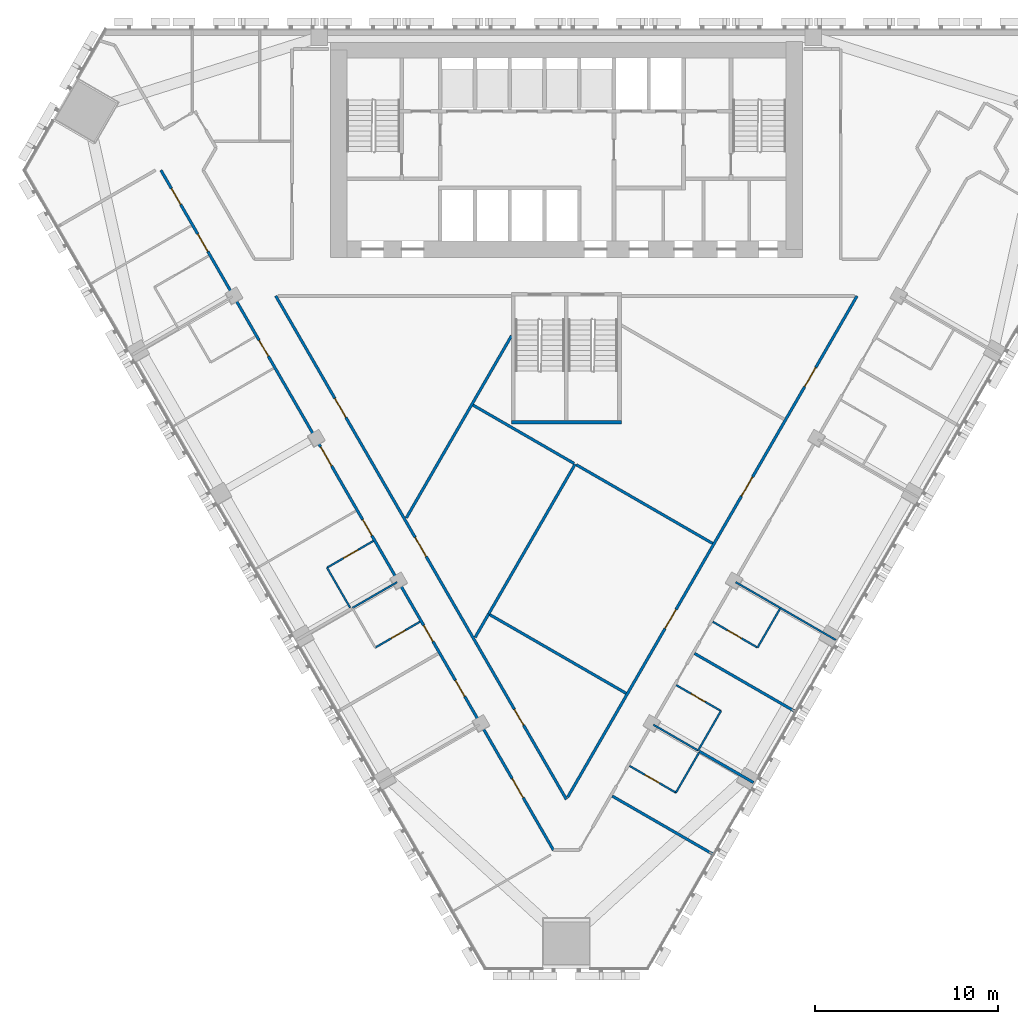
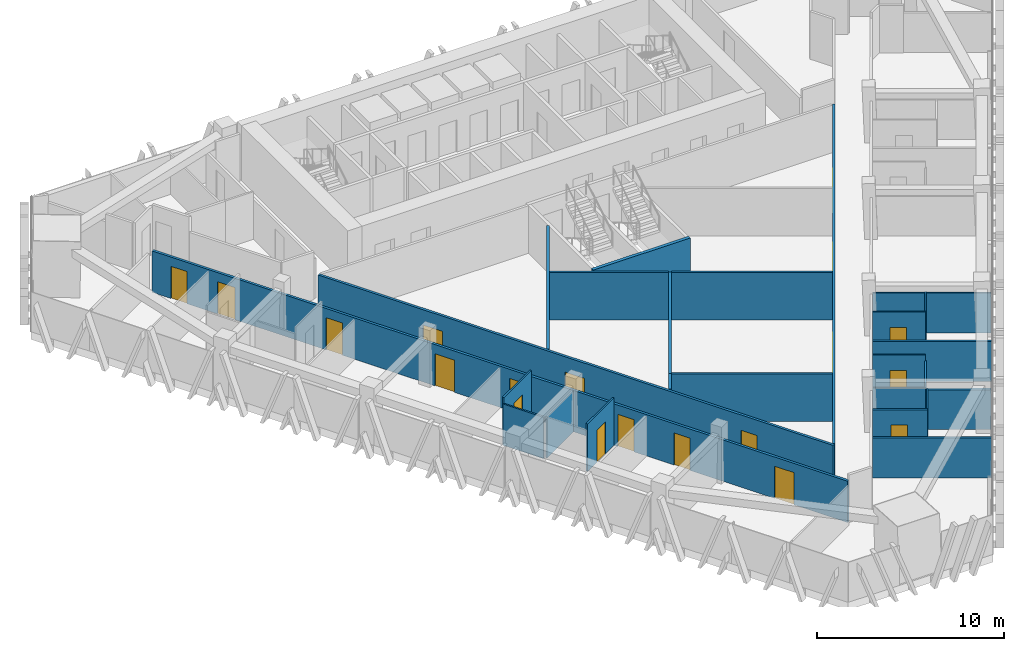
# One storey, part 9 of 16: 25 walls, 19 doors, 19 openings.
"""IFC4 building model written with IfcOpenShell, lengths in metres."""

from ifc_helpers import new_model, si_unit, direction, frame, frame_2d, origin, place, context, subcontext, project, spatial, rectangle, extrude, material, layer, layer_set, type_object, element, fill, save


model = new_model("IFC4")

# Units and contexts
model_context = context("Model", 3, precision=1e-05, world=origin(), true_north=direction((0.0, 1.0)))
body_context = subcontext(model_context, "Body", "Model", "MODEL_VIEW")
ifc_project = project(units=[si_unit("LENGTHUNIT", "METRE"), si_unit("AREAUNIT", "SQUARE_METRE"), si_unit("VOLUMEUNIT", "CUBIC_METRE"), si_unit("PLANEANGLEUNIT", "RADIAN"), si_unit("MASSUNIT", "GRAM", prefix="KILO")], contexts=[model_context])

# Site, building, storey
site_placement = place(None, origin())
site = spatial("IfcSite", under=ifc_project, at=site_placement, CompositionType="ELEMENT")
building_placement = place(site_placement, origin())
building = spatial("IfcBuilding", under=site, at=building_placement, Name="Altiplano Prism Tower", CompositionType="ELEMENT")
storey_placement = place(building_placement, frame((0.0, 0.0, 77.39990234375)))
storey = spatial("IfcBuildingStorey", under=building, at=storey_placement, Name="L19", CompositionType="ELEMENT", Elevation=77.39990234375)

# Wall
ifc_material_1 = material(Name="Plasterboard on steel stud", Category="steel")
ifc_layer_1 = layer(ifc_material_1, 0.10009765625)
ifc_layer_set_1 = layer_set([ifc_layer_1], Name="Plasterboard on steel stud")
wall_type_1 = type_object("IfcWallType", Name="Partition 100 unit", PredefinedType="PARTITIONING", material=ifc_layer_set_1)
wall_1_placement = place(storey_placement, frame((73.177001953125, 73.357421875, 0.0), z_axis=(0.0, 0.0, 1.0), x_axis=(-0.500048846702, 0.865997200291, 0.0)))
element("IfcWall", 1, at=wall_1_placement, inside=storey, type_object=wall_type_1, Name="Partition P02 L19 048", PredefinedType="PARTITIONING", context=body_context, shape_type="SweptSolid", body=[
    extrude(rectangle(XDim=2.525146484375, YDim=0.10009765625, at=frame_2d((1.2626953125, 0.0))), origin(), (0.0, 0.0, 1.0), 2.7001953125),
])

# Wall, opening, door
wall_2_placement = place(storey_placement, frame((71.914306640625, 75.544189453125, 0.0), z_axis=(0.0, 0.0, 1.0), x_axis=(0.866046596414, 0.499963291492, 0.0)))
wall_2 = element("IfcWall", 2, at=wall_2_placement, inside=storey, type_object=wall_type_1, Name="Partition P02 L19 049", PredefinedType="PARTITIONING", context=body_context, shape_type="SweptSolid", body=[
    extrude(rectangle(XDim=2.925048828125, YDim=0.10009765625, at=frame_2d((1.46240234375, 0.0))), origin(), (0.0, 0.0, 1.0), 3.10009765625),
])
opening_1_placement = place(wall_2_placement, frame((1.050048828125, 0.0, 0.0)))
opening_1 = element("IfcOpeningElement", 3, at=opening_1_placement, cuts=wall_2, Name="Opening D0729", PredefinedType="OPENING", context=body_context, shape_type="SweptSolid", body=[
    extrude(rectangle(XDim=0.89990234375, YDim=2.10009765625, at=frame_2d((0.449951171875, 1.050048828125))), frame((0.0, 0.060546875, 0.0), z_axis=(0.0, -1.0, 0.0), x_axis=(1.0, 0.0, 0.0)), (0.0, 0.0, 1.0), 0.12109375),
])
ifc_material_2 = material(Name="Timber", Category="wood")
door_type_1 = type_object("IfcDoorType", Name="Ensuite door 900 x 2100", OperationType="NOTDEFINED", PredefinedType="NOTDEFINED", material=ifc_material_2)
door_1_placement = place(opening_1_placement, origin())
door_1 = element("IfcDoor", 4, at=door_1_placement, inside=storey, type_object=door_type_1, Name="Door D0729", OperationType="SINGLE_SWING_LEFT", OverallHeight=2.10009765625, OverallWidth=0.89990234375, PredefinedType="NOTDEFINED", context=body_context, shape_type="SweptSolid", body=[
    extrude(rectangle(XDim=0.89990234375, YDim=2.10009765625, at=frame_2d((0.449951171875, 1.050048828125))), frame((0.0, 0.02490234375, 0.0), z_axis=(0.0, -1.0, 0.0), x_axis=(1.0, 0.0, 0.0)), (0.0, 0.0, 1.0), 0.050048828125),
])
fill(opening_1, door_1)

wall_3_placement = place(storey_placement, frame((76.99755859375, 72.590087890625, 0.0), z_axis=(0.0, 0.0, 1.0), x_axis=(-0.866011447264, -0.500024172624, 0.0)))
wall_3 = element("IfcWall", 5, at=wall_3_placement, inside=storey, type_object=wall_type_1, Name="Partition P02 L19 052", PredefinedType="PARTITIONING", context=body_context, shape_type="SweptSolid", body=[
    extrude(rectangle(XDim=2.824951171875, YDim=0.10009765625, at=frame_2d((1.41259765625, 0.0))), origin(), (0.0, 0.0, 1.0), 3.10009765625),
])
opening_2_placement = place(wall_3_placement, frame((0.925048828125, 0.0, 0.0)))
opening_2 = element("IfcOpeningElement", 6, at=opening_2_placement, cuts=wall_3, Name="Opening D0731", PredefinedType="OPENING", context=body_context, shape_type="SweptSolid", body=[
    extrude(rectangle(XDim=0.89990234375, YDim=2.10009765625, at=frame_2d((0.449951171875, 1.050048828125))), frame((0.0, 0.060546875, 0.0), z_axis=(0.0, -1.0, 0.0), x_axis=(1.0, 0.0, 0.0)), (0.0, 0.0, 1.0), 0.12109375),
])
door_2_placement = place(opening_2_placement, origin())
door_2 = element("IfcDoor", 7, at=door_2_placement, inside=storey, type_object=door_type_1, Name="Door D0731", OperationType="SINGLE_SWING_LEFT", OverallHeight=2.10009765625, OverallWidth=0.89990234375, PredefinedType="NOTDEFINED", context=body_context, shape_type="SweptSolid", body=[
    extrude(rectangle(XDim=0.89990234375, YDim=2.10009765625, at=frame_2d((0.449951171875, 1.050048828125))), frame((0.0, 0.02490234375, 0.0), z_axis=(0.0, -1.0, 0.0), x_axis=(1.0, 0.0, 0.0)), (0.0, 0.0, 1.0), 0.050048828125),
])
fill(opening_2, door_2)

# Wall
wall_4_placement = place(storey_placement, frame((92.248046875, 65.433349609375, 0.0), z_axis=(0.0, 0.0, 1.0), x_axis=(-0.499976333282, -0.866039067339, 0.0)))
element("IfcWall", 8, at=wall_4_placement, inside=storey, type_object=wall_type_1, Name="Partition P02 L19 058", PredefinedType="PARTITIONING", context=body_context, shape_type="SweptSolid", body=[
    extrude(rectangle(XDim=2.52490234375, YDim=0.10009765625, at=frame_2d((1.262451171875, 0.0))), origin(), (0.0, 0.0, 1.0), 2.7001953125),
])

# Wall, opening, door
wall_5_placement = place(storey_placement, frame((90.985595703125, 63.24658203125, 0.0), z_axis=(0.0, 0.0, 1.0), x_axis=(-0.86601045545, 0.500025890382, 0.0)))
wall_5 = element("IfcWall", 9, at=wall_5_placement, inside=storey, type_object=wall_type_1, Name="Partition P02 L19 059", PredefinedType="PARTITIONING", context=body_context, shape_type="SweptSolid", body=[
    extrude(rectangle(XDim=2.925048828125, YDim=0.10009765625, at=frame_2d((1.46240234375, 0.0))), origin(), (0.0, 0.0, 1.0), 3.10009765625),
])
opening_3_placement = place(wall_5_placement, frame((1.050048828125, 0.0, 0.0)))
opening_3 = element("IfcOpeningElement", 10, at=opening_3_placement, cuts=wall_5, Name="Opening D0736", PredefinedType="OPENING", context=body_context, shape_type="SweptSolid", body=[
    extrude(rectangle(XDim=0.89990234375, YDim=2.10009765625, at=frame_2d((0.449951171875, 1.050048828125))), frame((0.0, 0.060546875, 0.0), z_axis=(0.0, -1.0, 0.0), x_axis=(1.0, 0.0, 0.0)), (0.0, 0.0, 1.0), 0.12109375),
])
door_3_placement = place(opening_3_placement, origin())
door_3 = element("IfcDoor", 11, at=door_3_placement, inside=storey, type_object=door_type_1, Name="Door D0736", OperationType="SINGLE_SWING_LEFT", OverallHeight=2.10009765625, OverallWidth=0.89990234375, PredefinedType="NOTDEFINED", context=body_context, shape_type="SweptSolid", body=[
    extrude(rectangle(XDim=0.89990234375, YDim=2.10009765625, at=frame_2d((0.449951171875, 1.050048828125))), frame((0.0, 0.02490234375, 0.0), z_axis=(0.0, -1.0, 0.0), x_axis=(1.0, 0.0, 0.0)), (0.0, 0.0, 1.0), 0.050048828125),
])
fill(opening_3, door_3)

wall_6_placement = place(storey_placement, frame((91.00244140625, 69.1259765625, 0.0), z_axis=(0.0, 0.0, 1.0), x_axis=(0.866011447264, -0.500024172624, 0.0)))
wall_6 = element("IfcWall", 12, at=wall_6_placement, inside=storey, type_object=wall_type_1, Name="Partition P02 L19 062", PredefinedType="PARTITIONING", context=body_context, shape_type="SweptSolid", body=[
    extrude(rectangle(XDim=2.824951171875, YDim=0.10009765625, at=frame_2d((1.41259765625, 0.0))), origin(), (0.0, 0.0, 1.0), 3.10009765625),
])
opening_4_placement = place(wall_6_placement, frame((0.925048828125, 0.0, 0.0)))
opening_4 = element("IfcOpeningElement", 13, at=opening_4_placement, cuts=wall_6, Name="Opening D0738", PredefinedType="OPENING", context=body_context, shape_type="SweptSolid", body=[
    extrude(rectangle(XDim=0.89990234375, YDim=2.10009765625, at=frame_2d((0.449951171875, 1.050048828125))), frame((0.0, 0.060546875, 0.0), z_axis=(0.0, -1.0, 0.0), x_axis=(1.0, 0.0, 0.0)), (0.0, 0.0, 1.0), 0.12109375),
])
door_4_placement = place(opening_4_placement, origin())
door_4 = element("IfcDoor", 14, at=door_4_placement, inside=storey, type_object=door_type_1, Name="Door D0738", OperationType="SINGLE_SWING_LEFT", OverallHeight=2.10009765625, OverallWidth=0.89990234375, PredefinedType="NOTDEFINED", context=body_context, shape_type="SweptSolid", body=[
    extrude(rectangle(XDim=0.89990234375, YDim=2.10009765625, at=frame_2d((0.449951171875, 1.050048828125))), frame((0.0, 0.02490234375, 0.0), z_axis=(0.0, -1.0, 0.0), x_axis=(1.0, 0.0, 0.0)), (0.0, 0.0, 1.0), 0.050048828125),
])
fill(opening_4, door_4)

# Walls
wall_7_placement = place(storey_placement, frame((93.448974609375, 67.71337890625, 0.0), z_axis=(0.0, 0.0, 1.0), x_axis=(-0.500004234368, -0.866022959057, 0.0)))
element("IfcWall", 15, at=wall_7_placement, inside=storey, type_object=wall_type_1, Name="Partition P02 L19 063", PredefinedType="PARTITIONING", context=body_context, shape_type="SweptSolid", body=[
    extrude(rectangle(XDim=2.5, YDim=0.10009765625, at=frame_2d((1.25, 0.0))), origin(), (0.0, 0.0, 1.0), 2.7001953125),
])
wall_8_placement = place(storey_placement, frame((96.674072265625, 73.29931640625, 0.0), z_axis=(0.0, 0.0, 1.0), x_axis=(-0.500018594424, -0.866014668023, 0.0)))
element("IfcWall", 16, at=wall_8_placement, inside=storey, type_object=wall_type_1, Name="Partition P02 L19 065", PredefinedType="PARTITIONING", context=body_context, shape_type="SweptSolid", body=[
    extrude(rectangle(XDim=2.4501953125, YDim=0.10009765625, at=frame_2d((1.22509765625, 0.0))), origin(), (0.0, 0.0, 1.0), 2.7001953125),
])

# Wall, opening, door
wall_9_placement = place(storey_placement, frame((95.448974609375, 71.177490234375, 0.0), z_axis=(0.0, 0.0, 1.0), x_axis=(-0.866011447264, 0.500024172624, 0.0)))
wall_9 = element("IfcWall", 17, at=wall_9_placement, inside=storey, type_object=wall_type_1, Name="Partition P02 L19 066", PredefinedType="PARTITIONING", context=body_context, shape_type="SweptSolid", body=[
    extrude(rectangle(XDim=2.824951171875, YDim=0.10009765625, at=frame_2d((1.41259765625, 0.0))), origin(), (0.0, 0.0, 1.0), 3.10009765625),
])
opening_5_placement = place(wall_9_placement, frame((1.0, 0.0, 0.0)))
opening_5 = element("IfcOpeningElement", 18, at=opening_5_placement, cuts=wall_9, Name="Opening D0740", PredefinedType="OPENING", context=body_context, shape_type="SweptSolid", body=[
    extrude(rectangle(XDim=0.89990234375, YDim=2.10009765625, at=frame_2d((0.449951171875, 1.050048828125))), frame((0.0, 0.060546875, 0.0), z_axis=(0.0, -1.0, 0.0), x_axis=(1.0, 0.0, 0.0)), (0.0, 0.0, 1.0), 0.12109375),
])
door_5_placement = place(opening_5_placement, origin())
door_5 = element("IfcDoor", 19, at=door_5_placement, inside=storey, type_object=door_type_1, Name="Door D0740", OperationType="SINGLE_SWING_RIGHT", OverallHeight=2.10009765625, OverallWidth=0.89990234375, PredefinedType="NOTDEFINED", context=body_context, shape_type="SweptSolid", body=[
    extrude(rectangle(XDim=0.89990234375, YDim=2.10009765625, at=frame_2d((0.449951171875, 1.050048828125))), frame((0.0, 0.02490234375, 0.0), z_axis=(0.0, -1.0, 0.0), x_axis=(1.0, 0.0, 0.0)), (0.0, 0.0, 1.0), 0.050048828125),
])
fill(opening_5, door_5)

# Walls
ifc_layer_2 = layer(ifc_material_1, 0.10009765625)
ifc_layer_set_2 = layer_set([ifc_layer_2], Name="Plasterboard on steel stud")
wall_type_2 = type_object("IfcWallType", Name="Partition 100 wet", PredefinedType="PARTITIONING", material=ifc_layer_set_2)
for number, where, z_axis, x_axis, name in (
    (20, (73.301025390625, 73.342529296875, 0.0), (0.0, 0.0, 1.0), (0.866011447264, 0.500024172624, 0.0), "Partition P03 L19 051"),
    (21, (92.198974609375, 65.54833984375, 0.0), (0.0, 0.0, 1.0), (-0.866048868473, 0.499959355765, 0.0), "Partition P03 L19 061"),
):
    element("IfcWall", number, at=place(storey_placement, frame(where, z_axis=z_axis, x_axis=x_axis)), inside=storey, type_object=wall_type_2, Name=name, PredefinedType="PARTITIONING", context=body_context, shape_type="SweptSolid", body=[
        extrude(rectangle(XDim=2.824951171875, YDim=0.10009765625, at=frame_2d((1.41259765625, 0.0))), origin(), (0.0, 0.0, 1.0), 2.7001953125),
    ])
wall_10_placement = place(storey_placement, frame((99.72998046875, 71.592529296875, 0.0), z_axis=(0.0, 0.0, 1.0), x_axis=(-0.866015887322, 0.500016482634, 0.0)))
element("IfcWall", 22, at=wall_10_placement, inside=storey, type_object=wall_type_2, Name="Partition P03 L19 067", PredefinedType="PARTITIONING", context=body_context, shape_type="SweptSolid", body=[
    extrude(rectangle(XDim=6.324951171875, YDim=0.10009765625, at=frame_2d((3.16259765625, 0.0))), origin(), (0.0, 0.0, 1.0), 2.60009765625),
])

# Wall, openings, doors
ifc_layer_3 = layer(ifc_material_1, 0.14990234375)
ifc_layer_set_3 = layer_set([ifc_layer_3], Name="Plasterboard on steel stud")
wall_type_3 = type_object("IfcWallType", Name="Partition 150 corridor", PredefinedType="PARTITIONING", material=ifc_layer_set_3)
wall_11_placement = place(storey_placement, frame((62.83349609375, 97.27294921875, 0.0), z_axis=(0.0, 0.0, 1.0), x_axis=(0.499998545606, -0.866026243478, 0.0)))
wall_11 = element("IfcWall", 23, at=wall_11_placement, inside=storey, type_object=wall_type_3, Name="Partition P06 L19 010", PredefinedType="PARTITIONING", context=body_context, shape_type="SweptSolid", body=[
    extrude(rectangle(XDim=42.916259765625, YDim=0.14990234375, at=frame_2d((21.4580078125, 0.0))), origin(), (0.0, 0.0, 1.0), 2.7001953125),
])
opening_6_placement = place(wall_11_placement, frame((1.156982421875, 0.0, 0.0)))
opening_6 = element("IfcOpeningElement", 24, at=opening_6_placement, cuts=wall_11, Name="Opening D0722", PredefinedType="OPENING", context=body_context, shape_type="SweptSolid", body=[
    extrude(rectangle(XDim=1.0, YDim=2.10009765625, at=frame_2d((0.5, 1.050048828125))), frame((0.0, 0.08544921875, 0.0), z_axis=(0.0, -1.0, 0.0), x_axis=(1.0, 0.0, 0.0)), (0.0, 0.0, 1.0), 0.1708984375),
])
opening_7_placement = place(wall_11_placement, frame((4.029052734375, 0.0, 0.0)))
opening_7 = element("IfcOpeningElement", 25, at=opening_7_placement, cuts=wall_11, Name="Opening D0723", PredefinedType="OPENING", context=body_context, shape_type="SweptSolid", body=[
    extrude(rectangle(XDim=1.10009765625, YDim=2.10009765625, at=frame_2d((0.550048828125, 1.050048828125))), frame((0.0, 0.08544921875, 0.0), z_axis=(0.0, -1.0, 0.0), x_axis=(1.0, 0.0, 0.0)), (0.0, 0.0, 1.0), 0.1708984375),
])
opening_8_placement = place(wall_11_placement, frame((10.738037109375, 0.0, 0.0)))
opening_8 = element("IfcOpeningElement", 26, at=opening_8_placement, cuts=wall_11, Name="Opening D0725", PredefinedType="OPENING", context=body_context, shape_type="SweptSolid", body=[
    extrude(rectangle(XDim=1.0, YDim=2.10009765625, at=frame_2d((0.5, 1.050048828125))), frame((0.0, 0.08544921875, 0.0), z_axis=(0.0, -1.0, 0.0), x_axis=(1.0, 0.0, 0.0)), (0.0, 0.0, 1.0), 0.1708984375),
])
opening_9_placement = place(wall_11_placement, frame((17.4580078125, 0.0, 0.0)))
opening_9 = element("IfcOpeningElement", 27, at=opening_9_placement, cuts=wall_11, Name="Opening D0727", PredefinedType="OPENING", context=body_context, shape_type="SweptSolid", body=[
    extrude(rectangle(XDim=1.199951171875, YDim=2.10009765625, at=frame_2d((0.60009765625, 1.050048828125))), frame((0.0, 0.08544921875, 0.0), z_axis=(0.0, -1.0, 0.0), x_axis=(1.0, 0.0, 0.0)), (0.0, 0.0, 1.0), 0.1708984375),
])
opening_10_placement = place(wall_11_placement, frame((22.06298828125, 0.0, 0.0)))
opening_10 = element("IfcOpeningElement", 28, at=opening_10_placement, cuts=wall_11, Name="Opening D0728", PredefinedType="OPENING", context=body_context, shape_type="SweptSolid", body=[
    extrude(rectangle(XDim=1.0, YDim=2.10009765625, at=frame_2d((0.5, 1.050048828125))), frame((0.0, 0.08544921875, 0.0), z_axis=(0.0, -1.0, 0.0), x_axis=(1.0, 0.0, 0.0)), (0.0, 0.0, 1.0), 0.1708984375),
])
opening_11_placement = place(wall_11_placement, frame((28.738037109375, 0.0, 0.0)))
opening_11 = element("IfcOpeningElement", 29, at=opening_11_placement, cuts=wall_11, Name="Opening D0730", PredefinedType="OPENING", context=body_context, shape_type="SweptSolid", body=[
    extrude(rectangle(XDim=1.0, YDim=2.10009765625, at=frame_2d((0.5, 1.050048828125))), frame((0.0, 0.08544921875, 0.0), z_axis=(0.0, -1.0, 0.0), x_axis=(1.0, 0.0, 0.0)), (0.0, 0.0, 1.0), 0.1708984375),
])
opening_12_placement = place(wall_11_placement, frame((32.2080078125, 0.0, 0.0)))
opening_12 = element("IfcOpeningElement", 30, at=opening_12_placement, cuts=wall_11, Name="Opening D0732", PredefinedType="OPENING", context=body_context, shape_type="SweptSolid", body=[
    extrude(rectangle(XDim=1.0, YDim=2.10009765625, at=frame_2d((0.5, 1.050048828125))), frame((0.0, 0.08544921875, 0.0), z_axis=(0.0, -1.0, 0.0), x_axis=(1.0, 0.0, 0.0)), (0.0, 0.0, 1.0), 0.1708984375),
])
opening_13_placement = place(wall_11_placement, frame((38.408935546875, 0.0, 0.0)))
opening_13 = element("IfcOpeningElement", 31, at=opening_13_placement, cuts=wall_11, Name="Opening D0733", PredefinedType="OPENING", context=body_context, shape_type="SweptSolid", body=[
    extrude(rectangle(XDim=1.199951171875, YDim=2.10009765625, at=frame_2d((0.60009765625, 1.050048828125))), frame((0.0, 0.08544921875, 0.0), z_axis=(0.0, -1.0, 0.0), x_axis=(1.0, 0.0, 0.0)), (0.0, 0.0, 1.0), 0.1708984375),
])
door_type_2 = type_object("IfcDoorType", Name="Accessible bedroom door 1100 x 2100", OperationType="NOTDEFINED", PredefinedType="NOTDEFINED", material=ifc_material_2)
door_6_placement = place(opening_7_placement, origin())
door_6 = element("IfcDoor", 32, at=door_6_placement, inside=storey, type_object=door_type_2, Name="Door D0723", OperationType="SINGLE_SWING_RIGHT", OverallHeight=2.10009765625, OverallWidth=1.10009765625, PredefinedType="NOTDEFINED", context=body_context, shape_type="SweptSolid", body=[
    extrude(rectangle(XDim=1.10009765625, YDim=2.10009765625, at=frame_2d((0.550048828125, 1.050048828125))), frame((0.0, 0.02490234375, 0.0), z_axis=(0.0, -1.0, 0.0), x_axis=(1.0, 0.0, 0.0)), (0.0, 0.0, 1.0), 0.050048828125),
])
fill(opening_7, door_6)
door_type_3 = type_object("IfcDoorType", Name="Bedroom entrance door 1000 x 2100", OperationType="NOTDEFINED", PredefinedType="NOTDEFINED", material=ifc_material_2)
door_7_placement = place(opening_8_placement, origin())
door_7 = element("IfcDoor", 33, at=door_7_placement, inside=storey, type_object=door_type_3, Name="Door D0725", OperationType="SINGLE_SWING_LEFT", OverallHeight=2.10009765625, OverallWidth=1.0, PredefinedType="NOTDEFINED", context=body_context, shape_type="SweptSolid", body=[
    extrude(rectangle(XDim=1.0, YDim=2.10009765625, at=frame_2d((0.5, 1.050048828125))), frame((0.0, 0.02490234375, 0.0), z_axis=(0.0, -1.0, 0.0), x_axis=(1.0, 0.0, 0.0)), (0.0, 0.0, 1.0), 0.050048828125),
])
fill(opening_8, door_7)
door_8_placement = place(opening_10_placement, origin())
door_8 = element("IfcDoor", 34, at=door_8_placement, inside=storey, type_object=door_type_3, Name="Door D0728", OperationType="SINGLE_SWING_RIGHT", OverallHeight=2.10009765625, OverallWidth=1.0, PredefinedType="NOTDEFINED", context=body_context, shape_type="SweptSolid", body=[
    extrude(rectangle(XDim=1.0, YDim=2.10009765625, at=frame_2d((0.5, 1.050048828125))), frame((0.0, 0.02490234375, 0.0), z_axis=(0.0, -1.0, 0.0), x_axis=(1.0, 0.0, 0.0)), (0.0, 0.0, 1.0), 0.050048828125),
])
fill(opening_10, door_8)
door_9_placement = place(opening_11_placement, origin())
door_9 = element("IfcDoor", 35, at=door_9_placement, inside=storey, type_object=door_type_3, Name="Door D0730", OperationType="SINGLE_SWING_LEFT", OverallHeight=2.10009765625, OverallWidth=1.0, PredefinedType="NOTDEFINED", context=body_context, shape_type="SweptSolid", body=[
    extrude(rectangle(XDim=1.0, YDim=2.10009765625, at=frame_2d((0.5, 1.050048828125))), frame((0.0, 0.02490234375, 0.0), z_axis=(0.0, -1.0, 0.0), x_axis=(1.0, 0.0, 0.0)), (0.0, 0.0, 1.0), 0.050048828125),
])
fill(opening_11, door_9)
door_type_4 = type_object("IfcDoorType", Name="Room door 1000 x 2100", OperationType="NOTDEFINED", PredefinedType="NOTDEFINED", material=ifc_material_2)
door_10_placement = place(opening_6_placement, origin())
door_10 = element("IfcDoor", 36, at=door_10_placement, inside=storey, type_object=door_type_4, Name="Door D0722", OperationType="SINGLE_SWING_LEFT", OverallHeight=2.10009765625, OverallWidth=1.0, PredefinedType="NOTDEFINED", context=body_context, shape_type="SweptSolid", body=[
    extrude(rectangle(XDim=1.0, YDim=2.10009765625, at=frame_2d((0.5, 1.050048828125))), frame((0.0, 0.02490234375, 0.0), z_axis=(0.0, -1.0, 0.0), x_axis=(1.0, 0.0, 0.0)), (0.0, 0.0, 1.0), 0.050048828125),
])
fill(opening_6, door_10)
door_11_placement = place(opening_12_placement, origin())
door_11 = element("IfcDoor", 37, at=door_11_placement, inside=storey, type_object=door_type_4, Name="Door D0732", OperationType="SINGLE_SWING_LEFT", OverallHeight=2.10009765625, OverallWidth=1.0, PredefinedType="NOTDEFINED", context=body_context, shape_type="SweptSolid", body=[
    extrude(rectangle(XDim=1.0, YDim=2.10009765625, at=frame_2d((0.5, 1.050048828125))), frame((0.0, 0.02490234375, 0.0), z_axis=(0.0, -1.0, 0.0), x_axis=(1.0, 0.0, 0.0)), (0.0, 0.0, 1.0), 0.050048828125),
])
fill(opening_12, door_11)
door_type_5 = type_object("IfcDoorType", Name="Shared room door 1200 x 2100", OperationType="NOTDEFINED", PredefinedType="NOTDEFINED", material=ifc_material_2)
door_12_placement = place(opening_9_placement, origin())
door_12 = element("IfcDoor", 38, at=door_12_placement, inside=storey, type_object=door_type_5, Name="Door D0727", OperationType="SINGLE_SWING_LEFT", OverallHeight=2.10009765625, OverallWidth=1.199951171875, PredefinedType="NOTDEFINED", context=body_context, shape_type="SweptSolid", body=[
    extrude(rectangle(XDim=1.199951171875, YDim=2.10009765625, at=frame_2d((0.60009765625, 1.050048828125))), frame((0.0, 0.02490234375, 0.0), z_axis=(0.0, -1.0, 0.0), x_axis=(1.0, 0.0, 0.0)), (0.0, 0.0, 1.0), 0.050048828125),
])
fill(opening_9, door_12)
door_13_placement = place(opening_13_placement, origin())
door_13 = element("IfcDoor", 39, at=door_13_placement, inside=storey, type_object=door_type_5, Name="Door D0733", OperationType="SINGLE_SWING_LEFT", OverallHeight=2.10009765625, OverallWidth=1.199951171875, PredefinedType="NOTDEFINED", context=body_context, shape_type="SweptSolid", body=[
    extrude(rectangle(XDim=1.199951171875, YDim=2.10009765625, at=frame_2d((0.60009765625, 1.050048828125))), frame((0.0, 0.02490234375, 0.0), z_axis=(0.0, -1.0, 0.0), x_axis=(1.0, 0.0, 0.0)), (0.0, 0.0, 1.0), 0.050048828125),
])
fill(opening_13, door_13)

wall_12_placement = place(storey_placement, frame((85.0, 62.87939453125, 0.0), z_axis=(0.0, 0.0, 1.0), x_axis=(-0.500004426694, 0.866022848017, 0.0)))
wall_12 = element("IfcWall", 40, at=wall_12_placement, inside=storey, type_object=wall_type_3, Name="Partition P06 L19 015", PredefinedType="PARTITIONING", context=body_context, shape_type="SweptSolid", body=[
    extrude(rectangle(XDim=31.778076171875, YDim=0.14990234375, at=frame_2d((15.88916015625, 0.0))), origin(), (0.0, 0.0, 1.0), 3.10009765625),
])
opening_14_placement = place(wall_12_placement, frame((24.10888671875, 0.0, 0.0)))
opening_14 = element("IfcOpeningElement", 41, at=opening_14_placement, cuts=wall_12, Name="Opening D0747", PredefinedType="OPENING", context=body_context, shape_type="SweptSolid", body=[
    extrude(rectangle(XDim=1.199951171875, YDim=2.10009765625, at=frame_2d((0.60009765625, 1.050048828125))), frame((0.0, 0.08544921875, 0.0), z_axis=(0.0, -1.0, 0.0), x_axis=(1.0, 0.0, 0.0)), (0.0, 0.0, 1.0), 0.1708984375),
])
opening_15_placement = place(wall_12_placement, frame((15.3369140625, 0.0, 0.0)))
opening_15 = element("IfcOpeningElement", 42, at=opening_15_placement, cuts=wall_12, Name="Opening D0751", PredefinedType="OPENING", context=body_context, shape_type="SweptSolid", body=[
    extrude(rectangle(XDim=1.199951171875, YDim=2.10009765625, at=frame_2d((0.60009765625, 1.050048828125))), frame((0.0, 0.08544921875, 0.0), z_axis=(0.0, -1.0, 0.0), x_axis=(1.0, 0.0, 0.0)), (0.0, 0.0, 1.0), 0.1708984375),
])
opening_16_placement = place(wall_12_placement, frame((4.681884765625, 0.0, 0.0)))
opening_16 = element("IfcOpeningElement", 43, at=opening_16_placement, cuts=wall_12, Name="Opening D0753", PredefinedType="OPENING", context=body_context, shape_type="SweptSolid", body=[
    extrude(rectangle(XDim=1.0, YDim=2.10009765625, at=frame_2d((0.5, 1.050048828125))), frame((0.0, 0.08544921875, 0.0), z_axis=(0.0, -1.0, 0.0), x_axis=(1.0, 0.0, 0.0)), (0.0, 0.0, 1.0), 0.1708984375),
])
door_14_placement = place(opening_16_placement, origin())
door_14 = element("IfcDoor", 44, at=door_14_placement, inside=storey, type_object=door_type_4, Name="Door D0753", OperationType="SINGLE_SWING_LEFT", OverallHeight=2.10009765625, OverallWidth=1.0, PredefinedType="NOTDEFINED", context=body_context, shape_type="SweptSolid", body=[
    extrude(rectangle(XDim=1.0, YDim=2.10009765625, at=frame_2d((0.5, 1.050048828125))), frame((0.0, 0.02490234375, 0.0), z_axis=(0.0, -1.0, 0.0), x_axis=(1.0, 0.0, 0.0)), (0.0, 0.0, 1.0), 0.050048828125),
])
fill(opening_16, door_14)
door_15_placement = place(opening_14_placement, origin())
door_15 = element("IfcDoor", 45, at=door_15_placement, inside=storey, type_object=door_type_5, Name="Door D0747", OperationType="SINGLE_SWING_RIGHT", OverallHeight=2.10009765625, OverallWidth=1.199951171875, PredefinedType="NOTDEFINED", context=body_context, shape_type="SweptSolid", body=[
    extrude(rectangle(XDim=1.199951171875, YDim=2.10009765625, at=frame_2d((0.60009765625, 1.050048828125))), frame((0.0, 0.02490234375, 0.0), z_axis=(0.0, -1.0, 0.0), x_axis=(1.0, 0.0, 0.0)), (0.0, 0.0, 1.0), 0.050048828125),
])
fill(opening_14, door_15)
door_16_placement = place(opening_15_placement, origin())
door_16 = element("IfcDoor", 46, at=door_16_placement, inside=storey, type_object=door_type_5, Name="Door D0751", OperationType="SINGLE_SWING_LEFT", OverallHeight=2.10009765625, OverallWidth=1.199951171875, PredefinedType="NOTDEFINED", context=body_context, shape_type="SweptSolid", body=[
    extrude(rectangle(XDim=1.199951171875, YDim=2.10009765625, at=frame_2d((0.60009765625, 1.050048828125))), frame((0.0, 0.02490234375, 0.0), z_axis=(0.0, -1.0, 0.0), x_axis=(1.0, 0.0, 0.0)), (0.0, 0.0, 1.0), 0.050048828125),
])
fill(opening_15, door_16)

wall_13_placement = place(storey_placement, frame((100.88916015625, 90.39990234375, 0.0), z_axis=(0.0, 0.0, 1.0), x_axis=(-0.500002021381, -0.866024236736, 0.0)))
wall_13 = element("IfcWall", 47, at=wall_13_placement, inside=storey, type_object=wall_type_3, Name="Partition P06 L19 017", PredefinedType="PARTITIONING", context=body_context, shape_type="SweptSolid", body=[
    extrude(rectangle(XDim=31.648193359375, YDim=0.14990234375, at=frame_2d((15.82421875, 0.0))), origin(), (0.0, 0.0, 1.0), 3.10009765625),
])
opening_17_placement = place(wall_13_placement, frame((19.794921875, 0.0, 0.0)))
opening_17 = element("IfcOpeningElement", 48, at=opening_17_placement, cuts=wall_13, Name="Opening D0748", PredefinedType="OPENING", context=body_context, shape_type="SweptSolid", body=[
    extrude(rectangle(XDim=1.199951171875, YDim=2.10009765625, at=frame_2d((0.60009765625, 1.050048828125))), frame((0.0, 0.08544921875, 0.0), z_axis=(0.0, -1.0, 0.0), x_axis=(1.0, 0.0, 0.0)), (0.0, 0.0, 1.0), 0.1708984375),
])
opening_18_placement = place(wall_13_placement, frame((11.43603515625, 0.0, 0.0)))
opening_18 = element("IfcOpeningElement", 49, at=opening_18_placement, cuts=wall_13, Name="Opening D0749", PredefinedType="OPENING", context=body_context, shape_type="SweptSolid", body=[
    extrude(rectangle(XDim=1.199951171875, YDim=2.10009765625, at=frame_2d((0.60009765625, 1.050048828125))), frame((0.0, 0.08544921875, 0.0), z_axis=(0.0, -1.0, 0.0), x_axis=(1.0, 0.0, 0.0)), (0.0, 0.0, 1.0), 0.1708984375),
])
opening_19_placement = place(wall_13_placement, frame((4.527099609375, 0.0, 0.0)))
opening_19 = element("IfcOpeningElement", 50, at=opening_19_placement, cuts=wall_13, Name="Opening D0752", PredefinedType="OPENING", context=body_context, shape_type="SweptSolid", body=[
    extrude(rectangle(XDim=1.199951171875, YDim=2.10009765625, at=frame_2d((0.60009765625, 1.050048828125))), frame((0.0, 0.08544921875, 0.0), z_axis=(0.0, -1.0, 0.0), x_axis=(1.0, 0.0, 0.0)), (0.0, 0.0, 1.0), 0.1708984375),
])
door_17_placement = place(opening_17_placement, origin())
door_17 = element("IfcDoor", 51, at=door_17_placement, inside=storey, type_object=door_type_5, Name="Door D0748", OperationType="SINGLE_SWING_RIGHT", OverallHeight=2.10009765625, OverallWidth=1.199951171875, PredefinedType="NOTDEFINED", context=body_context, shape_type="SweptSolid", body=[
    extrude(rectangle(XDim=1.199951171875, YDim=2.10009765625, at=frame_2d((0.60009765625, 1.050048828125))), frame((0.0, 0.02490234375, 0.0), z_axis=(0.0, -1.0, 0.0), x_axis=(1.0, 0.0, 0.0)), (0.0, 0.0, 1.0), 0.050048828125),
])
fill(opening_17, door_17)
door_18_placement = place(opening_18_placement, origin())
door_18 = element("IfcDoor", 52, at=door_18_placement, inside=storey, type_object=door_type_5, Name="Door D0749", OperationType="SINGLE_SWING_RIGHT", OverallHeight=2.10009765625, OverallWidth=1.199951171875, PredefinedType="NOTDEFINED", context=body_context, shape_type="SweptSolid", body=[
    extrude(rectangle(XDim=1.199951171875, YDim=2.10009765625, at=frame_2d((0.60009765625, 1.050048828125))), frame((0.0, 0.02490234375, 0.0), z_axis=(0.0, -1.0, 0.0), x_axis=(1.0, 0.0, 0.0)), (0.0, 0.0, 1.0), 0.050048828125),
])
fill(opening_18, door_18)
door_19_placement = place(opening_19_placement, origin())
door_19 = element("IfcDoor", 53, at=door_19_placement, inside=storey, type_object=door_type_5, Name="Door D0752", OperationType="SINGLE_SWING_RIGHT", OverallHeight=2.10009765625, OverallWidth=1.199951171875, PredefinedType="NOTDEFINED", context=body_context, shape_type="SweptSolid", body=[
    extrude(rectangle(XDim=1.199951171875, YDim=2.10009765625, at=frame_2d((0.60009765625, 1.050048828125))), frame((0.0, 0.02490234375, 0.0), z_axis=(0.0, -1.0, 0.0), x_axis=(1.0, 0.0, 0.0)), (0.0, 0.0, 1.0), 0.050048828125),
])
fill(opening_19, door_19)

# Walls
ifc_layer_4 = layer(ifc_material_1, 0.14990234375)
ifc_layer_set_4 = layer_set([ifc_layer_4], Name="Plasterboard on steel stud")
wall_type_4 = type_object("IfcWallType", Name="Partition 150 party", PredefinedType="PARTITIONING", material=ifc_layer_set_4)
wall_14_placement = place(storey_placement, frame((92.99755859375, 59.89111328125, 0.0), z_axis=(0.0, 0.0, 1.0), x_axis=(-0.866025401434, 0.500000004071, 0.0)))
element("IfcWall", 54, at=wall_14_placement, inside=storey, type_object=wall_type_4, Name="Partition P01 L19 057", PredefinedType="PARTITIONING", context=body_context, shape_type="SweptSolid", body=[
    extrude(rectangle(XDim=6.34521484375, YDim=0.14990234375, at=frame_2d((3.172607421875, 0.0))), origin(), (0.0, 0.0, 1.0), 2.60009765625),
])
wall_15_placement = place(storey_placement, frame((95.22998046875, 63.79833984375, 0.0), z_axis=(0.0, 0.0, 1.0), x_axis=(-0.866020337685, 0.500008774639, 0.0)))
element("IfcWall", 55, at=wall_15_placement, inside=storey, type_object=wall_type_4, Name="Partition P01 L19 060", PredefinedType="PARTITIONING", context=body_context, shape_type="SweptSolid", body=[
    extrude(rectangle(XDim=3.419921875, YDim=0.14990234375, at=frame_2d((1.7099609375, 0.0))), origin(), (0.0, 0.0, 1.0), 2.60009765625),
])
wall_16_placement = place(storey_placement, frame((97.49755859375, 67.685302734375, 0.0), z_axis=(0.0, 0.0, 1.0), x_axis=(-0.866025401434, 0.500000004071, 0.0)))
element("IfcWall", 56, at=wall_16_placement, inside=storey, type_object=wall_type_4, Name="Partition P01 L19 064", PredefinedType="PARTITIONING", context=body_context, shape_type="SweptSolid", body=[
    extrude(rectangle(XDim=6.34521484375, YDim=0.14990234375, at=frame_2d((3.172607421875, 0.0))), origin(), (0.0, 0.0, 1.0), 2.60009765625),
])
wall_17_placement = place(storey_placement, frame((76.24853515625, 78.26220703125, 0.0), z_axis=(0.0, 0.0, 1.0), x_axis=(0.500006000669, 0.866021939269, 0.0)))
element("IfcWall", 57, at=wall_17_placement, inside=storey, type_object=wall_type_4, Name="Partition P01 L19 076", PredefinedType="PARTITIONING", context=body_context, shape_type="SweptSolid", body=[
    extrude(rectangle(XDim=11.502685546875, YDim=0.14990234375, at=frame_2d((5.75146484375, 0.0))), origin(), (0.0, 0.0, 1.0), 3.10009765625),
])
wall_18_placement = place(storey_placement, frame((92.991455078125, 76.87109375, 0.0), z_axis=(0.0, 0.0, 1.0), x_axis=(-0.866022459948, 0.500005098839, 0.0)))
element("IfcWall", 58, at=wall_18_placement, inside=storey, type_object=wall_type_4, Name="Partition P01 L19 077", PredefinedType="PARTITIONING", context=body_context, shape_type="SweptSolid", body=[
    extrude(rectangle(XDim=8.5986328125, YDim=0.14990234375, at=frame_2d((4.29931640625, 0.0))), origin(), (0.0, 0.0, 1.0), 3.10009765625),
])
wall_19_placement = place(storey_placement, frame((85.47998046875, 81.2080078125, 0.0), z_axis=(0.0, 0.0, 1.0), x_axis=(-0.499997395344, -0.866026907578, 0.0)))
element("IfcWall", 59, at=wall_19_placement, inside=storey, type_object=wall_type_4, Name="Partition P01 L19 078", PredefinedType="PARTITIONING", context=body_context, shape_type="SweptSolid", body=[
    extrude(rectangle(XDim=9.47998046875, YDim=0.14990234375, at=frame_2d((4.739990234375, 0.0))), origin(), (0.0, 0.0, 1.0), 3.10009765625),
])
wall_20_placement = place(storey_placement, frame((80.81494140625, 72.977783203125, 0.0), z_axis=(0.0, 0.0, 1.0), x_axis=(0.866022459948, -0.500005098839, 0.0)))
element("IfcWall", 60, at=wall_20_placement, inside=storey, type_object=wall_type_4, Name="Partition P01 L19 079", PredefinedType="PARTITIONING", context=body_context, shape_type="SweptSolid", body=[
    extrude(rectangle(XDim=8.5986328125, YDim=0.14990234375, at=frame_2d((4.29931640625, 0.0))), origin(), (0.0, 0.0, 1.0), 3.10009765625),
])
wall_21_placement = place(storey_placement, frame((79.89697265625, 84.43115234375, 0.0), z_axis=(0.0, 0.0, 1.0), x_axis=(0.866029896476, -0.499992218349, 0.0)))
element("IfcWall", 61, at=wall_21_placement, inside=storey, type_object=wall_type_4, Name="Partition P01 L19 080", PredefinedType="PARTITIONING", context=body_context, shape_type="SweptSolid", body=[
    extrude(rectangle(XDim=6.37158203125, YDim=0.14990234375, at=frame_2d((3.185791015625, 0.0))), origin(), (0.0, 0.0, 1.0), 3.10009765625),
])
wall_22_placement = place(storey_placement, frame((80.013916015625, 71.740478515625, 0.0), z_axis=(0.0, 0.0, 1.0), x_axis=(0.500009564119, 0.866019881867, 0.0)))
element("IfcWall", 62, at=wall_22_placement, inside=storey, type_object=wall_type_4, Name="Partition P01 L19 082", PredefinedType="PARTITIONING", context=body_context, shape_type="SweptSolid", body=[
    extrude(rectangle(XDim=1.47216796875, YDim=0.14990234375, at=frame_2d((0.736083984375, 0.0))), origin(), (0.0, 0.0, 1.0), 3.10009765625),
])
ifc_material_3 = material(Name="Concrete C60/75", Category="concrete")
ifc_layer_5 = layer(ifc_material_3, 0.199951171875)
ifc_layer_set_5 = layer_set([ifc_layer_5], Name="Concrete C60/75")
wall_type_5 = type_object("IfcWallType", Name="Stair wall 200", PredefinedType="SOLIDWALL", material=ifc_layer_set_5)
wall_23_placement = place(storey_placement, frame((82.0, 83.5, 0.0), z_axis=(0.0, 0.0, 1.0), x_axis=(1.0, 0.0, 0.0)))
element("IfcWall", 63, at=wall_23_placement, inside=storey, type_object=wall_type_5, Name="Stair 3 wall south L19", PredefinedType="SOLIDWALL", context=body_context, shape_type="SweptSolid", body=[
    extrude(rectangle(XDim=6.0, YDim=0.199951171875, at=frame_2d((3.0, 0.0))), origin(), (0.0, 0.0, 1.0), 3.10009765625),
])

save(model, "model.ifc")
